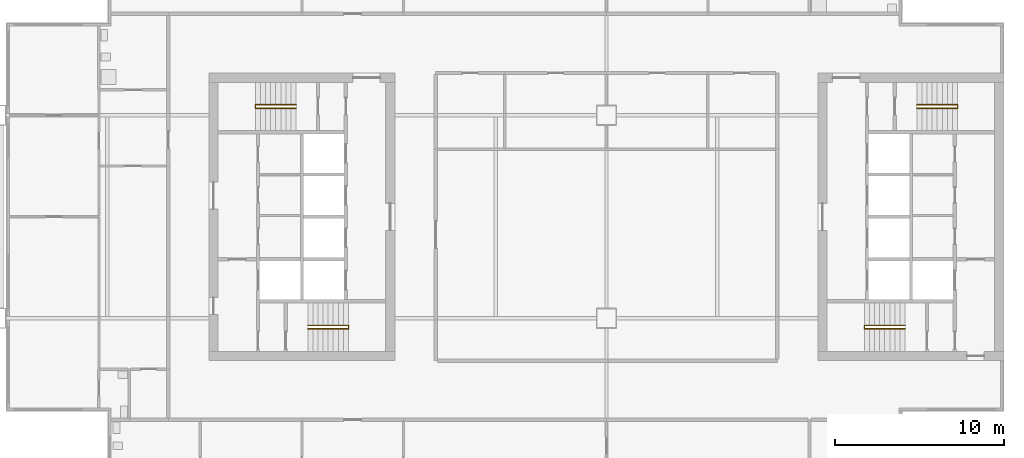
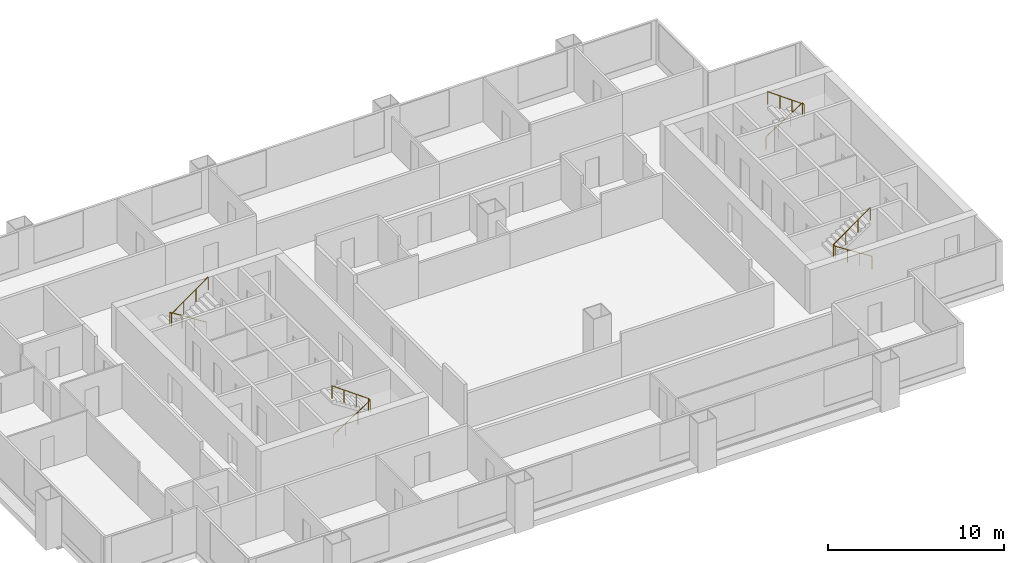
# One storey, part 7 of 8: 4 railings.
"""IFC4 building model written with IfcOpenShell, lengths in metres."""

import ifcopenshell
import ifcopenshell.guid

model = None  # the IFC model being written
_history = None  # IfcOwnerHistory: only IFC2X3 demands one
_inside = {}  # id of a spatial element -> (the spatial element, [elements in it])
_under = {}  # id of a project, library or spatial element -> (it, [spatial elements below it])
_declared = {}  # id of a project -> (the project, [libraries it declares])
_typed = {}  # id of a type object -> (the type object, [elements of that type])
_made_of = {}  # id of a material, layer set ... -> (it, [elements and type objects made of it])


def new_model(schema):
    """Start an empty IFC model of exactly this schema.

    Asked for "IFC4X3", IfcOpenShell would pick the latest addendum, in which some entities
    have other attributes; the version numbers below select the first issue.
    IFC2X3 requires an IfcOwnerHistory on every rooted entity: one is made here for all.
    """
    global model, _history
    if schema == "IFC4X3":
        model = ifcopenshell.file(schema_version=(4, 3, 0, 0))
    else:
        model = ifcopenshell.file(schema=schema)
    _inside.clear()
    _under.clear()
    _declared.clear()
    _typed.clear()
    _made_of.clear()
    _history = None
    if model.schema == "IFC2X3":
        org = make("IfcOrganization", Name="unknown")
        user = make(
            "IfcPersonAndOrganization",
            ThePerson=make("IfcPerson", FamilyName="unknown"),
            TheOrganization=org,
        )
        app = make(
            "IfcApplication",
            ApplicationDeveloper=org,
            Version="unknown",
            ApplicationFullName="unknown",
            ApplicationIdentifier="unknown",
        )
        _history = make(
            "IfcOwnerHistory",
            OwningUser=user,
            OwningApplication=app,
            ChangeAction="ADDED",
            CreationDate=0,
        )
    return model


def make(cls, **values):
    """One entity of the class cls with the attributes given. An attribute that is None is left unset."""
    return model.create_entity(
        cls, **{name: value for name, value in values.items() if value is not None}
    )


def rooted(cls, **values):
    """An entity with a GlobalId (a new one), such as an element, a storey or a relation."""
    return make(cls, GlobalId=ifcopenshell.guid.new(), OwnerHistory=_history, **values)


def si_unit(unit_type, name, prefix=None):
    """IfcSIUnit, for example si_unit("LENGTHUNIT", "METRE", prefix="MILLI")."""
    return make("IfcSIUnit", UnitType=unit_type, Prefix=prefix, Name=name)


def assignment(units):
    """IfcUnitAssignment: the units of a project."""
    return None if units is None else make("IfcUnitAssignment", Units=units)


def point(xyz):
    """IfcCartesianPoint."""
    return None if xyz is None else make("IfcCartesianPoint", Coordinates=xyz)


def direction(xyz):
    """IfcDirection."""
    return None if xyz is None else make("IfcDirection", DirectionRatios=xyz)


def frame(location, z_axis=None, x_axis=None):
    """IfcAxis2Placement3D, a coordinate frame: its origin and axes. An axis left out is left unset."""
    return make(
        "IfcAxis2Placement3D",
        Location=point(location),
        Axis=direction(z_axis),
        RefDirection=direction(x_axis),
    )


def frame_2d(location, x_axis=None):
    """IfcAxis2Placement2D, a coordinate frame in the plane: its origin and x axis."""
    return make(
        "IfcAxis2Placement2D", Location=point(location), RefDirection=direction(x_axis)
    )


def origin():
    """The frame at (0, 0, 0) with its axes left unset."""
    return frame((0.0, 0.0, 0.0))


def origin_2d():
    """The frame at (0, 0) in the plane with its x axis left unset."""
    return frame_2d((0.0, 0.0))


def place(relative_to, where):
    """IfcLocalPlacement: puts the frame where relative to a parent placement (None: the world)."""
    return make(
        "IfcLocalPlacement", PlacementRelTo=relative_to, RelativePlacement=where
    )


def context(
    kind, dimensions, precision=None, world=None, true_north=None, identifier=None
):
    """IfcGeometricRepresentationContext, for example the 3D "Model" context."""
    return make(
        "IfcGeometricRepresentationContext",
        ContextIdentifier=identifier,
        ContextType=kind,
        CoordinateSpaceDimension=dimensions,
        Precision=precision,
        WorldCoordinateSystem=world,
        TrueNorth=true_north,
    )


def subcontext(parent, identifier, kind, view, scale=None):
    """IfcGeometricRepresentationSubContext, for example "Body" below "Model"."""
    return make(
        "IfcGeometricRepresentationSubContext",
        ContextIdentifier=identifier,
        ContextType=kind,
        ParentContext=parent,
        TargetScale=scale,
        TargetView=view,
    )


def project(units=None, contexts=None):
    """IfcProject with its units and contexts."""
    return rooted(
        "IfcProject",
        Name="project",
        RepresentationContexts=contexts,
        UnitsInContext=assignment(units),
    )


def spatial(cls, under=None, at=None, **own):
    """A site, building, storey or space (cls), placed at a placement, below another one or the project."""
    s = rooted(cls, ObjectPlacement=at, **own)
    if under is not None:
        _under.setdefault(under.id(), (under, []))[1].append(s)
    return s


def profile(cls, at=None, kind="AREA", **sizes):
    """A parametric profile (cls). Its sizes go by their IFC names, for example OverallWidth=200.0."""
    return make(cls, ProfileType=kind, Position=at, **sizes)


def circle(**sizes):
    """IfcCircleProfileDef."""
    return profile("IfcCircleProfileDef", **sizes)


def extrude(swept, where, along, depth):
    """IfcExtrudedAreaSolid: the profile swept, set in the frame where, extruded along a direction by depth."""
    return make(
        "IfcExtrudedAreaSolid",
        SweptArea=swept,
        Position=where,
        ExtrudedDirection=direction(along),
        Depth=depth,
    )


def shape(context_of_items, identifier, shape_type, items):
    """IfcShapeRepresentation: the items that make up one representation, for example the "Body"."""
    return make(
        "IfcShapeRepresentation",
        ContextOfItems=context_of_items,
        RepresentationIdentifier=identifier,
        RepresentationType=shape_type,
        Items=items,
    )


def material(Name=None, Category=None):
    """IfcMaterial."""
    return make("IfcMaterial", Name=Name, Category=Category)


def made_of(thing, what):
    """Note that an element or type object is made of a material, layer set ...; save() writes the relation."""
    if what is not None:
        _made_of.setdefault(what.id(), (what, []))[1].append(thing)
    return thing


def type_object(cls, material=None, **own):
    """A type object (cls), such as IfcWallType, which elements share."""
    return made_of(rooted(cls, **own), material)


def element(
    cls,
    number,
    at=None,
    inside=None,
    cuts=None,
    type_object=None,
    material=None,
    context=None,
    identifier="Body",
    shape_type=None,
    held_by="IfcProductDefinitionShape",
    body=None,
    shapes=None,
    **own,
):
    """One element of the class cls, such as IfcWall. Its Tag is "e" and its number.

    at: its placement. inside: the storey or other place that contains it. cuts: it is an
    opening in that element (IfcRelVoidsElement). A single representation is given by context,
    identifier, shape_type and body (its items); several are given by shapes. held_by: the class
    of the entity that holds the representations. save() writes the other relations.
    """
    e = rooted(cls, Tag="e%d" % number, ObjectPlacement=at, **own)
    if body is not None:
        shapes = [shape(context, identifier, shape_type, body)]
    if shapes is not None:
        e.Representation = make(held_by, Representations=shapes)
    if inside is not None:
        _inside.setdefault(inside.id(), (inside, []))[1].append(e)
    if cuts is not None:
        rooted(
            "IfcRelVoidsElement", RelatingBuildingElement=cuts, RelatedOpeningElement=e
        )
    if type_object is not None:
        _typed.setdefault(type_object.id(), (type_object, []))[1].append(e)
    return made_of(e, material)


def aggregate(whole, parts):
    """IfcRelAggregates: a whole, such as a stair, and the parts it consists of."""
    return rooted("IfcRelAggregates", RelatingObject=whole, RelatedObjects=parts)


def save(model, path):
    """Write the relations noted so far, then the file.

    IfcRelAggregates (storeys below a building ...), IfcRelContainedInSpatialStructure (elements
    in a storey), IfcRelDefinesByType, IfcRelAssociatesMaterial and IfcRelDeclares: one each for
    every whole, place, type object, material and project.
    """
    for whole, parts in _under.values():
        aggregate(whole, parts)
    for where, things in _inside.values():
        rooted(
            "IfcRelContainedInSpatialStructure",
            RelatedElements=things,
            RelatingStructure=where,
        )
    for kind, things in _typed.values():
        rooted("IfcRelDefinesByType", RelatedObjects=things, RelatingType=kind)
    for what, things in _made_of.values():
        rooted("IfcRelAssociatesMaterial", RelatedObjects=things, RelatingMaterial=what)
    for by, libraries in _declared.values():
        rooted("IfcRelDeclares", RelatingContext=by, RelatedDefinitions=libraries)
    model.write(path)


model = new_model("IFC4")

# Units and contexts
model_context = context("Model", 3, precision=1e-05, world=origin(), true_north=direction((0.0, 1.0)))
body_context = subcontext(model_context, "Body", "Model", "MODEL_VIEW")
ifc_project = project(units=[si_unit("LENGTHUNIT", "METRE"), si_unit("AREAUNIT", "SQUARE_METRE"), si_unit("VOLUMEUNIT", "CUBIC_METRE"), si_unit("PLANEANGLEUNIT", "RADIAN"), si_unit("MASSUNIT", "GRAM", prefix="KILO")], contexts=[model_context])

# Site, building, storey
site_placement = place(None, origin())
site = spatial("IfcSite", under=ifc_project, at=site_placement, CompositionType="ELEMENT")
building_placement = place(site_placement, origin())
building = spatial("IfcBuilding", under=site, at=building_placement, Name="Kitamizu Gate Tower and Museum", CompositionType="ELEMENT")
storey_placement = place(building_placement, frame((0.0, 0.0, 199.64990234375)))
storey = spatial("IfcBuildingStorey", under=building, at=storey_placement, Name="L53", CompositionType="ELEMENT", Elevation=199.64990234375)

# Railings
ifc_material = material(Name="Stainless steel SUS304", Category="steel")
railing_type = type_object("IfcRailingType", Name="Stair handrail 900", PredefinedType="HANDRAIL", material=ifc_material)
railing_1_placement = place(storey_placement, frame((18.35009765625, 23.375, 0.191650390625)))
element("IfcRailing", 1, at=railing_1_placement, inside=storey, type_object=railing_type, Name="Stair handrail ST1", PredefinedType="HANDRAIL", context=body_context, shape_type="SweptSolid", body=[
    extrude(circle(Radius=0.02392578125, at=origin_2d()), frame((0.0, 0.0, 0.8759765625), z_axis=(0.842668169335, 0.0, 0.538433242278), x_axis=(0.0, 1.0, 0.0)), (0.0, 0.0, 1.0), 2.847900390625),
    extrude(circle(Radius=0.02392578125, at=origin_2d()), frame((2.39990234375, 0.0, 2.4091796875), z_axis=(0.0, 1.0, 0.0), x_axis=(-1.0, 0.0, 0.0)), (0.0, 0.0, 1.0), 0.199951171875),
    extrude(circle(Radius=0.02392578125, at=origin_2d()), frame((2.39990234375, 0.199951171875, 2.4091796875), z_axis=(-0.811988456656, 0.0, 0.583673492852), x_axis=(0.0, -1.0, 0.0)), (0.0, 0.0, 1.0), 2.95556640625),
    extrude(circle(Radius=0.02099609375, at=origin_2d()), origin(), (0.0, 0.0, 1.0), 0.851806640625),
    extrude(circle(Radius=0.02099609375, at=origin_2d()), frame((0.800048828125, 0.0, 0.51123046875)), (0.0, 0.0, 1.0), 0.851806640625),
    extrude(circle(Radius=0.02099609375, at=origin_2d()), frame((1.599853515625, 0.0, 1.022216796875)), (0.0, 0.0, 1.0), 0.851806640625),
    extrude(circle(Radius=0.02099609375, at=origin_2d()), frame((2.39990234375, 0.0, 1.533447265625)), (0.0, 0.0, 1.0), 0.851806640625),
    extrude(circle(Radius=0.02099609375, at=origin_2d()), frame((2.39990234375, 0.199951171875, 1.533447265625)), (0.0, 0.0, 1.0), 0.851806640625),
    extrude(circle(Radius=0.02099609375, at=origin_2d()), frame((1.599853515625, 0.199951171875, 2.1083984375)), (0.0, 0.0, 1.0), 0.851806640625),
    extrude(circle(Radius=0.02099609375, at=origin_2d()), frame((0.800048828125, 0.199951171875, 2.68359375)), (0.0, 0.0, 1.0), 0.851806640625),
    extrude(circle(Radius=0.02099609375, at=origin_2d()), frame((0.0, 0.199951171875, 3.258544921875)), (0.0, 0.0, 1.0), 0.851806640625),
])
railing_2_placement = place(storey_placement, frame((17.64990234375, 36.625, 0.191650390625)))
element("IfcRailing", 2, at=railing_2_placement, inside=storey, type_object=railing_type, Name="Stair handrail ST2", PredefinedType="HANDRAIL", context=body_context, shape_type="SweptSolid", body=[
    extrude(circle(Radius=0.02392578125, at=origin_2d()), frame((0.0, 0.0, 0.8759765625), z_axis=(-0.842668169335, 0.0, 0.538433242278), x_axis=(0.0, -1.0, 0.0)), (0.0, 0.0, 1.0), 2.847900390625),
    extrude(circle(Radius=0.02392578125, at=origin_2d()), frame((-2.39990234375, 0.0, 2.4091796875), z_axis=(0.0, -1.0, 0.0), x_axis=(1.0, 0.0, 0.0)), (0.0, 0.0, 1.0), 0.199951171875),
    extrude(circle(Radius=0.02392578125, at=origin_2d()), frame((-2.39990234375, -0.199951171875, 2.4091796875), z_axis=(0.811988456656, 0.0, 0.583673492852), x_axis=(0.0, 1.0, 0.0)), (0.0, 0.0, 1.0), 2.95556640625),
    extrude(circle(Radius=0.02099609375, at=origin_2d()), origin(), (0.0, 0.0, 1.0), 0.851806640625),
    extrude(circle(Radius=0.02099609375, at=origin_2d()), frame((-0.800048828125, 0.0, 0.51123046875)), (0.0, 0.0, 1.0), 0.851806640625),
    extrude(circle(Radius=0.02099609375, at=origin_2d()), frame((-1.599853515625, 0.0, 1.022216796875)), (0.0, 0.0, 1.0), 0.851806640625),
    extrude(circle(Radius=0.02099609375, at=origin_2d()), frame((-2.39990234375, 0.0, 1.533447265625)), (0.0, 0.0, 1.0), 0.851806640625),
    extrude(circle(Radius=0.02099609375, at=origin_2d()), frame((-2.39990234375, -0.199951171875, 1.533447265625)), (0.0, 0.0, 1.0), 0.851806640625),
    extrude(circle(Radius=0.02099609375, at=origin_2d()), frame((-1.599853515625, -0.199951171875, 2.1083984375)), (0.0, 0.0, 1.0), 0.851806640625),
    extrude(circle(Radius=0.02099609375, at=origin_2d()), frame((-0.800048828125, -0.199951171875, 2.68359375)), (0.0, 0.0, 1.0), 0.851806640625),
    extrude(circle(Radius=0.02099609375, at=origin_2d()), frame((0.0, -0.199951171875, 3.258544921875)), (0.0, 0.0, 1.0), 0.851806640625),
])
railing_3_placement = place(storey_placement, frame((53.64990234375, 23.375, 0.191650390625)))
element("IfcRailing", 3, at=railing_3_placement, inside=storey, type_object=railing_type, Name="Stair handrail ST3", PredefinedType="HANDRAIL", context=body_context, shape_type="SweptSolid", body=[
    extrude(circle(Radius=0.02392578125, at=origin_2d()), frame((0.0, 0.0, 0.8759765625), z_axis=(-0.842668169335, 0.0, 0.538433242278), x_axis=(0.0, -1.0, 0.0)), (0.0, 0.0, 1.0), 2.847900390625),
    extrude(circle(Radius=0.02392578125, at=origin_2d()), frame((-2.39990234375, 0.0, 2.4091796875), z_axis=(0.0, 1.0, 0.0), x_axis=(-1.0, 0.0, 0.0)), (0.0, 0.0, 1.0), 0.199951171875),
    extrude(circle(Radius=0.02392578125, at=origin_2d()), frame((-2.39990234375, 0.199951171875, 2.4091796875), z_axis=(0.811988456656, 0.0, 0.583673492852), x_axis=(0.0, 1.0, 0.0)), (0.0, 0.0, 1.0), 2.95556640625),
    extrude(circle(Radius=0.02099609375, at=origin_2d()), origin(), (0.0, 0.0, 1.0), 0.851806640625),
    extrude(circle(Radius=0.02099609375, at=origin_2d()), frame((-0.800048828125, 0.0, 0.51123046875)), (0.0, 0.0, 1.0), 0.851806640625),
    extrude(circle(Radius=0.02099609375, at=origin_2d()), frame((-1.599853515625, 0.0, 1.022216796875)), (0.0, 0.0, 1.0), 0.851806640625),
    extrude(circle(Radius=0.02099609375, at=origin_2d()), frame((-2.39990234375, 0.0, 1.533447265625)), (0.0, 0.0, 1.0), 0.851806640625),
    extrude(circle(Radius=0.02099609375, at=origin_2d()), frame((-2.39990234375, 0.199951171875, 1.533447265625)), (0.0, 0.0, 1.0), 0.851806640625),
    extrude(circle(Radius=0.02099609375, at=origin_2d()), frame((-1.599853515625, 0.199951171875, 2.1083984375)), (0.0, 0.0, 1.0), 0.851806640625),
    extrude(circle(Radius=0.02099609375, at=origin_2d()), frame((-0.800048828125, 0.199951171875, 2.68359375)), (0.0, 0.0, 1.0), 0.851806640625),
    extrude(circle(Radius=0.02099609375, at=origin_2d()), frame((0.0, 0.199951171875, 3.258544921875)), (0.0, 0.0, 1.0), 0.851806640625),
])
railing_4_placement = place(storey_placement, frame((54.35009765625, 36.625, 0.191650390625)))
element("IfcRailing", 4, at=railing_4_placement, inside=storey, type_object=railing_type, Name="Stair handrail ST4", PredefinedType="HANDRAIL", context=body_context, shape_type="SweptSolid", body=[
    extrude(circle(Radius=0.02392578125, at=origin_2d()), frame((0.0, 0.0, 0.8759765625), z_axis=(0.842668169335, 0.0, 0.538433242278), x_axis=(0.0, 1.0, 0.0)), (0.0, 0.0, 1.0), 2.847900390625),
    extrude(circle(Radius=0.02392578125, at=origin_2d()), frame((2.39990234375, 0.0, 2.4091796875), z_axis=(0.0, -1.0, 0.0), x_axis=(1.0, 0.0, 0.0)), (0.0, 0.0, 1.0), 0.199951171875),
    extrude(circle(Radius=0.02392578125, at=origin_2d()), frame((2.39990234375, -0.199951171875, 2.4091796875), z_axis=(-0.811988456656, 0.0, 0.583673492852), x_axis=(0.0, -1.0, 0.0)), (0.0, 0.0, 1.0), 2.95556640625),
    extrude(circle(Radius=0.02099609375, at=origin_2d()), origin(), (0.0, 0.0, 1.0), 0.851806640625),
    extrude(circle(Radius=0.02099609375, at=origin_2d()), frame((0.800048828125, 0.0, 0.51123046875)), (0.0, 0.0, 1.0), 0.851806640625),
    extrude(circle(Radius=0.02099609375, at=origin_2d()), frame((1.599853515625, 0.0, 1.022216796875)), (0.0, 0.0, 1.0), 0.851806640625),
    extrude(circle(Radius=0.02099609375, at=origin_2d()), frame((2.39990234375, 0.0, 1.533447265625)), (0.0, 0.0, 1.0), 0.851806640625),
    extrude(circle(Radius=0.02099609375, at=origin_2d()), frame((2.39990234375, -0.199951171875, 1.533447265625)), (0.0, 0.0, 1.0), 0.851806640625),
    extrude(circle(Radius=0.02099609375, at=origin_2d()), frame((1.599853515625, -0.199951171875, 2.1083984375)), (0.0, 0.0, 1.0), 0.851806640625),
    extrude(circle(Radius=0.02099609375, at=origin_2d()), frame((0.800048828125, -0.199951171875, 2.68359375)), (0.0, 0.0, 1.0), 0.851806640625),
    extrude(circle(Radius=0.02099609375, at=origin_2d()), frame((0.0, -0.199951171875, 3.258544921875)), (0.0, 0.0, 1.0), 0.851806640625),
])

save(model, "model.ifc")
